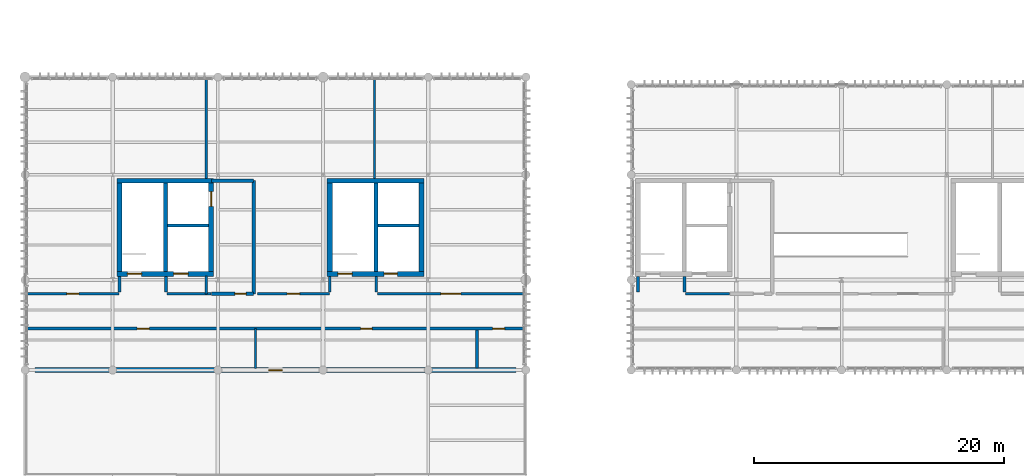
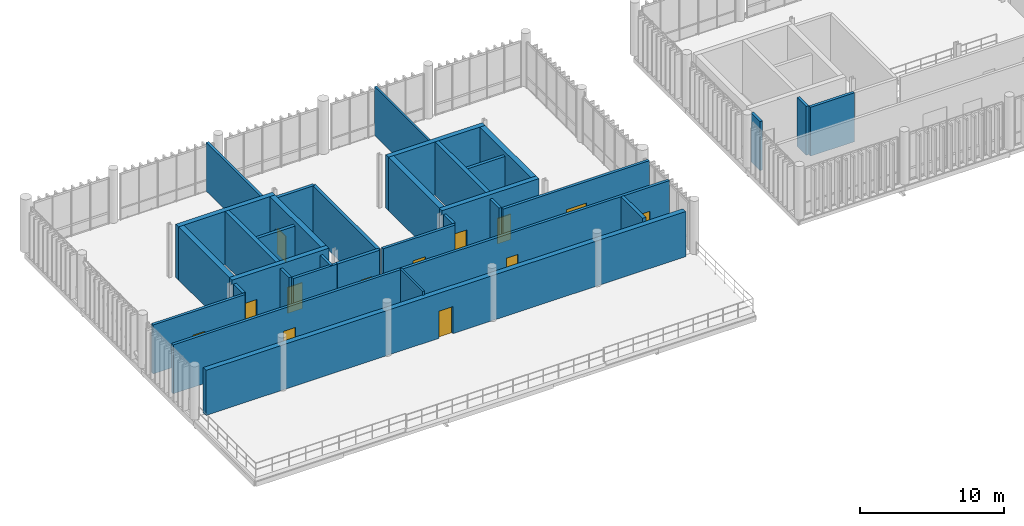
# One storey, part 56 of 66: 33 walls, 13 doors, 13 openings.
"""IFC4 building model written with IfcOpenShell, lengths in metres."""

from ifc_helpers import new_model, si_unit, direction, frame, frame_2d, origin_with_axes, place, context, subcontext, project, spatial, rectangle, extrude, material, layer, layer_set, type_object, element, fill, save


model = new_model("IFC4")

# Units and contexts
model_context = context("Model", 3, precision=1e-05, world=origin_with_axes(), true_north=direction((0.0, 1.0)))
body_context = subcontext(model_context, "Body", "Model", "MODEL_VIEW")
ifc_project = project(units=[si_unit("LENGTHUNIT", "METRE"), si_unit("AREAUNIT", "SQUARE_METRE"), si_unit("VOLUMEUNIT", "CUBIC_METRE"), si_unit("PLANEANGLEUNIT", "RADIAN"), si_unit("MASSUNIT", "GRAM", prefix="KILO"), si_unit("THERMODYNAMICTEMPERATUREUNIT", "KELVIN")], contexts=[model_context])

# Site, building, storey
site_placement = place(None, origin_with_axes())
site = spatial("IfcSite", under=ifc_project, at=site_placement, CompositionType="ELEMENT")
building_placement = place(site_placement, origin_with_axes())
building = spatial("IfcBuilding", under=site, at=building_placement, Name="Montbau Bow Law Courts", CompositionType="ELEMENT")
storey_placement = place(building_placement, frame((0.0, 0.0, 34.5), z_axis=(0.0, 0.0, 1.0), x_axis=(1.0, 0.0, 0.0)))
storey = spatial("IfcBuildingStorey", under=building, at=storey_placement, Name="L07", CompositionType="ELEMENT", Elevation=34.5)

# Wall, opening, door
ifc_material_1 = material(Name="Concrete CSA A23.1 f'c 45 MPa", Category="concrete")
ifc_layer_1 = layer(ifc_material_1, 0.42, Name="Shear Wall", Category="concrete")
ifc_layer_set_1 = layer_set([ifc_layer_1], Name="Concrete CSA A23.1 f'c 45 MPa")
wall_type_1 = type_object("IfcWallType", Name="W-COR-03", PredefinedType="SHEAR", material=ifc_layer_set_1)
wall_1_placement = place(None, frame((21.66, 46.87, 34.5), z_axis=(0.0, 0.0, 1.0), x_axis=(0.0, 1.0, 0.0)))
wall_1 = element("IfcWall", 1, at=wall_1_placement, inside=storey, type_object=wall_type_1, Name="WC-L07-0075:wal_0142", PredefinedType="SHEAR", context=body_context, shape_type="SweptSolid", body=[
    extrude(rectangle(XDim=7.060000000000002, YDim=0.42, at=frame_2d((3.53, 0.0), x_axis=(1.0, 0.0))), origin_with_axes(), (0.0, 0.0, 1.0), 4.5),
])
opening_1_placement = place(None, frame((21.66, 52.66, 34.5), z_axis=(0.0, 0.0, 1.0), x_axis=(0.0, 1.0, 0.0)))
opening_1 = element("IfcOpeningElement", 2, at=opening_1_placement, cuts=wall_1, Name="OP-LD-L07-EL-P2", PredefinedType="OPENING", context=body_context, shape_type="SweptSolid", body=[
    extrude(rectangle(XDim=1.16, YDim=2.2, at=frame_2d((0.0, 1.1), x_axis=(1.0, 0.0))), frame((0.0, 0.22, 0.0), z_axis=(0.0, -1.0, 0.0), x_axis=(1.0, 0.0, 0.0)), (0.0, 0.0, 1.0), 0.44),
])
ifc_material_2 = material(Name="Brushed Stainless Steel Elevator Landing Door", Category="steel")
door_type_1 = type_object("IfcDoorType", Name="LD-PUB-01", OperationType="NOTDEFINED", ParameterTakesPrecedence=False, PredefinedType="DOOR", material=ifc_material_2)
door_1_placement = place(None, frame((21.66, 52.66, 34.5), z_axis=(0.0, 0.0, 1.0), x_axis=(0.0, 1.0, 0.0)))
door_1 = element("IfcDoor", 3, at=door_1_placement, inside=storey, type_object=door_type_1, Name="LD-L07-EL-P2:dor_0071", OperationType="SLIDING_TO_LEFT", OverallHeight=2.2, OverallWidth=1.16, PredefinedType="DOOR", context=body_context, shape_type="SweptSolid", body=[
    extrude(rectangle(XDim=1.16, YDim=2.2, at=frame_2d((0.0, 1.1), x_axis=(1.0, 0.0))), frame((0.0, 0.04, 0.0), z_axis=(0.0, -1.0, 0.0), x_axis=(1.0, 0.0, 0.0)), (0.0, 0.0, 1.0), 0.08),
])
fill(opening_1, door_1)

# Walls
for number, where, z_axis, x_axis, name in (
    (4, (14.34, 53.93, 34.5), (0.0, 0.0, 1.0), (0.0, -1.0, 0.0), "WC-L07-0076:wal_0143"),
    (5, (38.46, 46.87, 34.5), (0.0, 0.0, 1.0), (0.0, 1.0, 0.0), "WC-L07-0132:wal_0199"),
    (6, (31.14, 53.93, 34.5), (0.0, 0.0, 1.0), (0.0, -1.0, 0.0), "WC-L07-0133:wal_0200"),
):
    element("IfcWall", number, at=place(None, frame(where, z_axis=z_axis, x_axis=x_axis)), inside=storey, type_object=wall_type_1, Name=name, PredefinedType="SHEAR", context=body_context, shape_type="SweptSolid", body=[
        extrude(rectangle(XDim=7.060000000000002, YDim=0.42, at=frame_2d((3.53, 0.0), x_axis=(1.0, 0.0))), origin_with_axes(), (0.0, 0.0, 1.0), 4.5),
    ])

# Wall, openings, doors
ifc_layer_2 = layer(ifc_material_1, 0.38, Name="Shear Wall", Category="concrete")
ifc_layer_set_2 = layer_set([ifc_layer_2], Name="Concrete CSA A23.1 f'c 45 MPa")
wall_type_2 = type_object("IfcWallType", Name="W-COR-04", PredefinedType="SHEAR", material=ifc_layer_set_2)
wall_2_placement = place(None, frame((14.13, 46.68, 34.5), z_axis=(0.0, 0.0, 1.0), x_axis=(1.0, 0.0, 0.0)))
wall_2 = element("IfcWall", 7, at=wall_2_placement, inside=storey, type_object=wall_type_2, Name="WC-L07-0073:wal_0140", PredefinedType="SHEAR", context=body_context, shape_type="SweptSolid", body=[
    extrude(rectangle(XDim=7.74, YDim=0.38, at=frame_2d((3.87, 0.0), x_axis=(1.0, 0.0))), origin_with_axes(), (0.0, 0.0, 1.0), 4.5),
])
opening_2_placement = place(None, frame((15.55, 46.68, 34.5), z_axis=(0.0, 0.0, 1.0), x_axis=(1.0, 0.0, 0.0)))
opening_2 = element("IfcOpeningElement", 8, at=opening_2_placement, cuts=wall_2, Name="OP-D-L07-ST-P1", PredefinedType="OPENING", context=body_context, shape_type="SweptSolid", body=[
    extrude(rectangle(XDim=1.14, YDim=2.18, at=frame_2d((0.0, 1.09), x_axis=(1.0, 0.0))), frame((0.0, 0.2, 0.0), z_axis=(0.0, -1.0, 0.0), x_axis=(1.0, 0.0, 0.0)), (0.0, 0.0, 1.0), 0.4),
])
opening_3_placement = place(None, frame((19.25, 46.68, 34.5), z_axis=(0.0, 0.0, 1.0), x_axis=(1.0, 0.0, 0.0)))
opening_3 = element("IfcOpeningElement", 9, at=opening_3_placement, cuts=wall_2, Name="OP-LD-L07-EL-P1", PredefinedType="OPENING", context=body_context, shape_type="SweptSolid", body=[
    extrude(rectangle(XDim=1.16, YDim=2.2, at=frame_2d((0.0, 1.1), x_axis=(1.0, 0.0))), frame((0.0, 0.2, 0.0), z_axis=(0.0, -1.0, 0.0), x_axis=(1.0, 0.0, 0.0)), (0.0, 0.0, 1.0), 0.4),
])
ifc_material_3 = material(Name="1.5 h Fire-Rated Hollow-Metal Exit Stair Door", Category="steel")
door_type_2 = type_object("IfcDoorType", Name="D-ST-01", OperationType="NOTDEFINED", ParameterTakesPrecedence=False, PredefinedType="DOOR", material=ifc_material_3)
door_2_placement = place(None, frame((15.55, 46.68, 34.5), z_axis=(0.0, 0.0, 1.0), x_axis=(-1.0, 0.0, 0.0)))
door_2 = element("IfcDoor", 10, at=door_2_placement, inside=storey, type_object=door_type_2, Name="D-L07-ST-P1:dor_0069", OperationType="SINGLE_SWING_RIGHT", OverallHeight=2.18, OverallWidth=1.14, PredefinedType="DOOR", context=body_context, shape_type="SweptSolid", body=[
    extrude(rectangle(XDim=1.14, YDim=2.18, at=frame_2d((0.0, 1.09), x_axis=(1.0, 0.0))), frame((0.0, 0.04, 0.0), z_axis=(0.0, -1.0, 0.0), x_axis=(1.0, 0.0, 0.0)), (0.0, 0.0, 1.0), 0.08),
])
fill(opening_2, door_2)
door_3_placement = place(None, frame((19.25, 46.68, 34.5), z_axis=(0.0, 0.0, 1.0), x_axis=(-1.0, 0.0, 0.0)))
door_3 = element("IfcDoor", 11, at=door_3_placement, inside=storey, type_object=door_type_1, Name="LD-L07-EL-P1:dor_0070", OperationType="SLIDING_TO_LEFT", OverallHeight=2.2, OverallWidth=1.16, PredefinedType="DOOR", context=body_context, shape_type="SweptSolid", body=[
    extrude(rectangle(XDim=1.16, YDim=2.2, at=frame_2d((0.0, 1.1), x_axis=(1.0, 0.0))), frame((0.0, 0.04, 0.0), z_axis=(0.0, -1.0, 0.0), x_axis=(1.0, 0.0, 0.0)), (0.0, 0.0, 1.0), 0.08),
])
fill(opening_3, door_3)

# Wall
wall_3_placement = place(None, frame((21.87, 54.12, 34.5), z_axis=(0.0, 0.0, 1.0), x_axis=(-1.0, 0.0, 0.0)))
element("IfcWall", 12, at=wall_3_placement, inside=storey, type_object=wall_type_2, Name="WC-L07-0074:wal_0141", PredefinedType="SHEAR", context=body_context, shape_type="SweptSolid", body=[
    extrude(rectangle(XDim=7.74, YDim=0.38, at=frame_2d((3.87, 0.0), x_axis=(1.0, 0.0))), origin_with_axes(), (0.0, 0.0, 1.0), 4.5),
])

# Wall, openings, doors
wall_4_placement = place(None, frame((30.93, 46.68, 34.5), z_axis=(0.0, 0.0, 1.0), x_axis=(1.0, 0.0, 0.0)))
wall_4 = element("IfcWall", 13, at=wall_4_placement, inside=storey, type_object=wall_type_2, Name="WC-L07-0130:wal_0197", PredefinedType="SHEAR", context=body_context, shape_type="SweptSolid", body=[
    extrude(rectangle(XDim=7.740000000000002, YDim=0.38, at=frame_2d((3.87, 0.0), x_axis=(1.0, 0.0))), origin_with_axes(), (0.0, 0.0, 1.0), 4.5),
])
opening_4_placement = place(None, frame((32.35, 46.68, 34.5), z_axis=(0.0, 0.0, 1.0), x_axis=(1.0, 0.0, 0.0)))
opening_4 = element("IfcOpeningElement", 14, at=opening_4_placement, cuts=wall_4, Name="OP-D-L07-ST-J1", PredefinedType="OPENING", context=body_context, shape_type="SweptSolid", body=[
    extrude(rectangle(XDim=1.14, YDim=2.18, at=frame_2d((0.0, 1.09), x_axis=(1.0, 0.0))), frame((0.0, 0.2, 0.0), z_axis=(0.0, -1.0, 0.0), x_axis=(1.0, 0.0, 0.0)), (0.0, 0.0, 1.0), 0.4),
])
opening_5_placement = place(None, frame((36.0, 46.68, 34.5), z_axis=(0.0, 0.0, 1.0), x_axis=(1.0, 0.0, 0.0)))
opening_5 = element("IfcOpeningElement", 15, at=opening_5_placement, cuts=wall_4, Name="OP-LD-L07-EL-J1", PredefinedType="OPENING", context=body_context, shape_type="SweptSolid", body=[
    extrude(rectangle(XDim=1.06, YDim=2.16, at=frame_2d((0.0, 1.08), x_axis=(1.0, 0.0))), frame((0.0, 0.2, 0.0), z_axis=(0.0, -1.0, 0.0), x_axis=(1.0, 0.0, 0.0)), (0.0, 0.0, 1.0), 0.4),
])
door_4_placement = place(None, frame((32.35, 46.68, 34.5), z_axis=(0.0, 0.0, 1.0), x_axis=(-1.0, 0.0, 0.0)))
door_4 = element("IfcDoor", 16, at=door_4_placement, inside=storey, type_object=door_type_2, Name="D-L07-ST-J1:dor_0089", OperationType="SINGLE_SWING_LEFT", OverallHeight=2.18, OverallWidth=1.14, PredefinedType="DOOR", context=body_context, shape_type="SweptSolid", body=[
    extrude(rectangle(XDim=1.14, YDim=2.18, at=frame_2d((0.0, 1.09), x_axis=(1.0, 0.0))), frame((0.0, 0.04, 0.0), z_axis=(0.0, -1.0, 0.0), x_axis=(1.0, 0.0, 0.0)), (0.0, 0.0, 1.0), 0.08),
])
fill(opening_4, door_4)
ifc_material_4 = material(Name="Bronze-Clad Judicial Elevator Landing Door", Category="steel")
door_type_3 = type_object("IfcDoorType", Name="LD-JUD-01", OperationType="NOTDEFINED", ParameterTakesPrecedence=False, PredefinedType="DOOR", material=ifc_material_4)
door_5_placement = place(None, frame((36.0, 46.68, 34.5), z_axis=(0.0, 0.0, 1.0), x_axis=(-1.0, 0.0, 0.0)))
door_5 = element("IfcDoor", 17, at=door_5_placement, inside=storey, type_object=door_type_3, Name="LD-L07-EL-J1:dor_0090", OperationType="SLIDING_TO_LEFT", OverallHeight=2.16, OverallWidth=1.06, PredefinedType="DOOR", context=body_context, shape_type="SweptSolid", body=[
    extrude(rectangle(XDim=1.06, YDim=2.16, at=frame_2d((0.0, 1.08), x_axis=(1.0, 0.0))), frame((0.0, 0.04, 0.0), z_axis=(0.0, -1.0, 0.0), x_axis=(1.0, 0.0, 0.0)), (0.0, 0.0, 1.0), 0.08),
])
fill(opening_5, door_5)

# Walls
wall_5_placement = place(None, frame((38.67, 54.12, 34.5), z_axis=(0.0, 0.0, 1.0), x_axis=(-1.0, 0.0, 0.0)))
element("IfcWall", 18, at=wall_5_placement, inside=storey, type_object=wall_type_2, Name="WC-L07-0131:wal_0198", PredefinedType="SHEAR", context=body_context, shape_type="SweptSolid", body=[
    extrude(rectangle(XDim=7.740000000000002, YDim=0.38, at=frame_2d((3.87, 0.0), x_axis=(1.0, 0.0))), origin_with_axes(), (0.0, 0.0, 1.0), 4.5),
])
ifc_layer_3 = layer(ifc_material_1, 0.32, Name="Shear Wall", Category="concrete")
ifc_layer_set_3 = layer_set([ifc_layer_3], Name="Concrete CSA A23.1 f'c 45 MPa")
wall_type_3 = type_object("IfcWallType", Name="W-COR-05", PredefinedType="SHEAR", material=ifc_layer_set_3)
for number, where, z_axis, x_axis, name in (
    (19, (18.02, 46.87, 34.5), (0.0, 0.0, 1.0), (0.0, 1.0, 0.0), "WS-L07-0077:wal_0144"),
    (20, (34.82, 46.87, 34.5), (0.0, 0.0, 1.0), (0.0, 1.0, 0.0), "WS-L07-0134:wal_0201"),
):
    element("IfcWall", number, at=place(None, frame(where, z_axis=z_axis, x_axis=x_axis)), inside=storey, type_object=wall_type_3, Name=name, PredefinedType="SHEAR", context=body_context, shape_type="SweptSolid", body=[
        extrude(rectangle(XDim=7.060000000000002, YDim=0.32, at=frame_2d((3.53, 0.0), x_axis=(1.0, 0.0))), origin_with_axes(), (0.0, 0.0, 1.0), 4.5),
    ])

# Wall, opening, door
ifc_material_5 = material(Name="Polychrome Glazed Ceramic Rainscreen Insulated Wall", Category="masonry")
ifc_layer_4 = layer(ifc_material_5, 0.4, Name="Solid Wall", Category="masonry")
ifc_layer_set_4 = layer_set([ifc_layer_4], Name="Polychrome Glazed Ceramic Rainscreen Insulated Wall")
wall_type_4 = type_object("IfcWallType", Name="W-EXT-04", PredefinedType="SOLIDWALL", material=ifc_layer_set_4)
wall_6_placement = place(None, frame((7.6, 39.0, 34.5), z_axis=(0.0, 0.0, 1.0), x_axis=(1.0, 0.0, 0.0)))
wall_6 = element("IfcWall", 21, at=wall_6_placement, inside=storey, type_object=wall_type_4, Name="WE-L07-037:wal_0054", PredefinedType="SOLIDWALL", context=body_context, shape_type="SweptSolid", body=[
    extrude(rectangle(XDim=38.4, YDim=0.4, at=frame_2d((19.2, 0.0), x_axis=(1.0, 0.0))), origin_with_axes(), (0.0, 0.0, 1.0), 3.814),
])
opening_6_placement = place(None, frame((26.8, 39.0, 34.5), z_axis=(0.0, 0.0, 1.0), x_axis=(1.0, 0.0, 0.0)))
opening_6 = element("IfcOpeningElement", 22, at=opening_6_placement, cuts=wall_6, Name="OP-D-TER-06", PredefinedType="OPENING", context=body_context, shape_type="SweptSolid", body=[
    extrude(rectangle(XDim=1.1, YDim=2.3, at=frame_2d((0.0, 1.15), x_axis=(1.0, 0.0))), frame((0.0, 0.21, 0.0), z_axis=(0.0, -1.0, 0.0), x_axis=(1.0, 0.0, 0.0)), (0.0, 0.0, 1.0), 0.42),
])
ifc_material_6 = material(Name="Thermally Broken Glazed Terrace Access Door", Category="aluminium")
door_type_4 = type_object("IfcDoorType", Name="D-EXT-06", OperationType="NOTDEFINED", ParameterTakesPrecedence=False, PredefinedType="DOOR", material=ifc_material_6)
door_6_placement = place(None, frame((26.8, 39.0, 34.5), z_axis=(0.0, 0.0, 1.0), x_axis=(1.0, 0.0, 0.0)))
door_6 = element("IfcDoor", 23, at=door_6_placement, inside=storey, type_object=door_type_4, Name="D-TER-06:dor_0029", OperationType="SINGLE_SWING_LEFT", OverallHeight=2.3, OverallWidth=1.1, PredefinedType="DOOR", context=body_context, shape_type="SweptSolid", body=[
    extrude(rectangle(XDim=1.1, YDim=2.3, at=frame_2d((0.0, 1.15), x_axis=(1.0, 0.0))), frame((0.0, 0.04, 0.0), z_axis=(0.0, -1.0, 0.0), x_axis=(1.0, 0.0, 0.0)), (0.0, 0.0, 1.0), 0.08),
])
fill(opening_6, door_6)

# Walls
ifc_material_7 = material(Name="Double-Stud Acoustic Plumbing Chase Gypsum Assembly", Category="gypsum")
ifc_layer_5 = layer(ifc_material_7, 0.26, Name="Plumbing Wall", Category="gypsum")
ifc_layer_set_5 = layer_set([ifc_layer_5], Name="Double-Stud Acoustic Plumbing Chase Gypsum Assembly")
wall_type_5 = type_object("IfcWallType", Name="W-PLM-01", PredefinedType="PLUMBINGWALL", material=ifc_layer_set_5)
wall_7_placement = place(None, frame((42.89, 39.18, 34.5), z_axis=(0.0, 0.0, 1.0), x_axis=(0.0, 1.0, 0.0)))
element("IfcWall", 24, at=wall_7_placement, inside=storey, type_object=wall_type_5, Name="WD-L07-0915:wal_0982", PredefinedType="PLUMBINGWALL", context=body_context, shape_type="SweptSolid", body=[
    extrude(rectangle(XDim=3.030000000000001, YDim=0.26, at=frame_2d((1.515, 0.0), x_axis=(1.0, 0.0))), origin_with_axes(), (0.0, 0.0, 1.0), 4.14),
])
ifc_material_8 = material(Name="2 h Shaft and Exit-Passage Fire Separation Partition", Category="gypsum")
ifc_layer_6 = layer(ifc_material_8, 0.25, Name="Partition", Category="gypsum")
ifc_layer_set_6 = layer_set([ifc_layer_6], Name="2 h Shaft and Exit-Passage Fire Separation Partition")
wall_type_6 = type_object("IfcWallType", Name="W-PRT-01", PredefinedType="PARTITIONING", material=ifc_layer_set_6)
wall_8_placement = place(None, frame((18.18, 50.549, 34.5), z_axis=(0.0, 0.0, 1.0), x_axis=(1.0, 0.0, 0.0)))
element("IfcWall", 25, at=wall_8_placement, inside=storey, type_object=wall_type_6, Name="WS-L07-0078:wal_0145", PredefinedType="PARTITIONING", context=body_context, shape_type="SweptSolid", body=[
    extrude(rectangle(XDim=3.2699999999999996, YDim=0.25, at=frame_2d((1.635, 0.0), x_axis=(1.0, 0.0))), origin_with_axes(), (0.0, 0.0, 1.0), 4.14),
])
wall_9_placement = place(None, frame((25.06, 45.09, 34.5), z_axis=(0.0, 0.0, 1.0), x_axis=(0.0, 1.0, 0.0)))
element("IfcWall", 26, at=wall_9_placement, inside=storey, type_object=wall_type_6, Name="WEL-L07-0079:wal_0146", PredefinedType="PARTITIONING", context=body_context, shape_type="SweptSolid", body=[
    extrude(rectangle(XDim=9.029999999999994, YDim=0.25, at=frame_2d((4.515, 0.0), x_axis=(1.0, 0.0))), origin_with_axes(), (0.0, 0.0, 1.0), 4.14),
])
wall_10_placement = place(None, frame((21.7, 54.12, 34.5), z_axis=(0.0, 0.0, 1.0), x_axis=(1.0, 0.0, 0.0)))
element("IfcWall", 27, at=wall_10_placement, inside=storey, type_object=wall_type_6, Name="WEL-L07-0080:wal_0147", PredefinedType="PARTITIONING", context=body_context, shape_type="SweptSolid", body=[
    extrude(rectangle(XDim=3.3599999999999994, YDim=0.25, at=frame_2d((1.68, 0.0), x_axis=(1.0, 0.0))), origin_with_axes(), (0.0, 0.0, 1.0), 4.14),
])

# Wall, opening, door
wall_11_placement = place(None, frame((21.7, 45.09, 34.5), z_axis=(0.0, 0.0, 1.0), x_axis=(1.0, 0.0, 0.0)))
wall_11 = element("IfcWall", 28, at=wall_11_placement, inside=storey, type_object=wall_type_6, Name="WEL-L07-0081:wal_0148", PredefinedType="PARTITIONING", context=body_context, shape_type="SweptSolid", body=[
    extrude(rectangle(XDim=3.3599999999999994, YDim=0.25, at=frame_2d((1.68, 0.0), x_axis=(1.0, 0.0))), origin_with_axes(), (0.0, 0.0, 1.0), 4.14),
])
opening_7_placement = place(None, frame((24.005, 45.09, 34.5), z_axis=(0.0, 0.0, 1.0), x_axis=(1.0, 0.0, 0.0)))
opening_7 = element("IfcOpeningElement", 29, at=opening_7_placement, cuts=wall_11, Name="OP-D-L07-ELB-CORE-W1", PredefinedType="OPENING", context=body_context, shape_type="SweptSolid", body=[
    extrude(rectangle(XDim=0.91, YDim=2.12, at=frame_2d((0.0, 1.06), x_axis=(1.0, 0.0))), frame((0.0, 0.135, 0.0), z_axis=(0.0, -1.0, 0.0), x_axis=(1.0, 0.0, 0.0)), (0.0, 0.0, 1.0), 0.27),
])
ifc_material_9 = material(Name="Public and Judicial Washroom Solid-Core Door", Category="wood")
door_type_5 = type_object("IfcDoorType", Name="D-WC-02", OperationType="NOTDEFINED", ParameterTakesPrecedence=False, PredefinedType="DOOR", material=ifc_material_9)
door_7_placement = place(None, frame((24.005, 45.09, 34.5), z_axis=(0.0, 0.0, 1.0), x_axis=(1.0, 0.0, 0.0)))
door_7 = element("IfcDoor", 30, at=door_7_placement, inside=storey, type_object=door_type_5, Name="D-L07-ELB-CORE-W1:dor_0072", OperationType="SINGLE_SWING_LEFT", OverallHeight=2.12, OverallWidth=0.91, PredefinedType="DOOR", context=body_context, shape_type="SweptSolid", body=[
    extrude(rectangle(XDim=0.91, YDim=2.12, at=frame_2d((0.0, 1.06), x_axis=(1.0, 0.0))), frame((0.0, 0.04, 0.0), z_axis=(0.0, -1.0, 0.0), x_axis=(1.0, 0.0, 0.0)), (0.0, 0.0, 1.0), 0.08),
])
fill(opening_7, door_7)

# Walls
wall_12_placement = place(None, frame((34.98, 50.549, 34.5), z_axis=(0.0, 0.0, 1.0), x_axis=(1.0, 0.0, 0.0)))
element("IfcWall", 31, at=wall_12_placement, inside=storey, type_object=wall_type_6, Name="WS-L07-0135:wal_0202", PredefinedType="PARTITIONING", context=body_context, shape_type="SweptSolid", body=[
    extrude(rectangle(XDim=3.270000000000003, YDim=0.25, at=frame_2d((1.635, 0.0), x_axis=(1.0, 0.0))), origin_with_axes(), (0.0, 0.0, 1.0), 4.14),
])
ifc_material_10 = material(Name="STC-60 High-Acoustic Courtroom Perimeter Partition", Category="gypsum")
ifc_layer_7 = layer(ifc_material_10, 0.22, Name="Partition", Category="gypsum")
ifc_layer_set_7 = layer_set([ifc_layer_7], Name="STC-60 High-Acoustic Courtroom Perimeter Partition")
wall_type_7 = type_object("IfcWallType", Name="W-PRT-02", PredefinedType="PARTITIONING", material=ifc_layer_set_7)
for number, where, z_axis, x_axis, name in (
    (32, (14.34, 45.22, 34.5), (0.0, 0.0, 1.0), (0.0, 1.0, 0.0), "WCX-L07-0906:wal_0973"),
    (33, (18.05, 45.22, 34.5), (0.0, 0.0, 1.0), (0.0, 1.0, 0.0), "WCX-L07-0907:wal_0974"),
    (34, (31.14, 45.22, 34.5), (0.0, 0.0, 1.0), (0.0, 1.0, 0.0), "WCX-L07-0908:wal_0975"),
    (35, (34.85, 45.22, 34.5), (0.0, 0.0, 1.0), (0.0, 1.0, 0.0), "WCX-L07-0909:wal_0976"),
):
    element("IfcWall", number, at=place(None, frame(where, z_axis=z_axis, x_axis=x_axis)), inside=storey, type_object=wall_type_7, Name=name, PredefinedType="PARTITIONING", context=body_context, shape_type="SweptSolid", body=[
        extrude(rectangle(XDim=1.259999999999998, YDim=0.22, at=frame_2d((0.63, 0.0), x_axis=(1.0, 0.0))), origin_with_axes(), (0.0, 0.0, 1.0), 4.14),
    ])

# Wall, opening, door
wall_13_placement = place(None, frame((6.94, 45.09, 34.5), z_axis=(0.0, 0.0, 1.0), x_axis=(1.0, 0.0, 0.0)))
wall_13 = element("IfcWall", 36, at=wall_13_placement, inside=storey, type_object=wall_type_7, Name="WP-L07-0910:wal_0977", PredefinedType="PARTITIONING", context=body_context, shape_type="SweptSolid", body=[
    extrude(rectangle(XDim=7.36, YDim=0.22, at=frame_2d((3.68, 0.0), x_axis=(1.0, 0.0))), origin_with_axes(), (0.0, 0.0, 1.0), 4.14),
])
opening_8_placement = place(None, frame((10.62, 45.09, 34.5), z_axis=(0.0, 0.0, 1.0), x_axis=(1.0, 0.0, 0.0)))
opening_8 = element("IfcOpeningElement", 37, at=opening_8_placement, cuts=wall_13, Name="OP-D-L07-388", PredefinedType="OPENING", context=body_context, shape_type="SweptSolid", body=[
    extrude(rectangle(XDim=0.95, YDim=2.16, at=frame_2d((0.0, 1.08), x_axis=(1.0, 0.0))), frame((0.0, 0.12, 0.0), z_axis=(0.0, -1.0, 0.0), x_axis=(1.0, 0.0, 0.0)), (0.0, 0.0, 1.0), 0.24),
])
ifc_material_11 = material(Name="Mediation and Witness Waiting Acoustic Oak Door", Category="wood")
door_type_6 = type_object("IfcDoorType", Name="D-MED-01", OperationType="NOTDEFINED", ParameterTakesPrecedence=False, PredefinedType="DOOR", material=ifc_material_11)
door_8_placement = place(None, frame((10.62, 45.09, 34.5), z_axis=(0.0, 0.0, 1.0), x_axis=(-1.0, 0.0, 0.0)))
door_8 = element("IfcDoor", 38, at=door_8_placement, inside=storey, type_object=door_type_6, Name="D-L07-388:dor_0423", OperationType="SINGLE_SWING_LEFT", OverallHeight=2.16, OverallWidth=0.95, PredefinedType="DOOR", context=body_context, shape_type="SweptSolid", body=[
    extrude(rectangle(XDim=0.95, YDim=2.16, at=frame_2d((0.0, 1.08), x_axis=(1.0, 0.0))), frame((0.0, 0.04, 0.0), z_axis=(0.0, -1.0, 0.0), x_axis=(1.0, 0.0, 0.0)), (0.0, 0.0, 1.0), 0.08),
])
fill(opening_8, door_8)

# Wall
wall_14_placement = place(None, frame((18.15, 45.09, 34.5), z_axis=(0.0, 0.0, 1.0), x_axis=(1.0, 0.0, 0.0)))
element("IfcWall", 39, at=wall_14_placement, inside=storey, type_object=wall_type_7, Name="WP-L07-0911:wal_0978", PredefinedType="PARTITIONING", context=body_context, shape_type="SweptSolid", body=[
    extrude(rectangle(XDim=3.5100000000000016, YDim=0.22, at=frame_2d((1.755, 0.0), x_axis=(1.0, 0.0))), origin_with_axes(), (0.0, 0.0, 1.0), 4.14),
])

# Wall, opening, door
wall_15_placement = place(None, frame((25.355, 45.09, 34.5), z_axis=(0.0, 0.0, 1.0), x_axis=(1.0, 0.0, 0.0)))
wall_15 = element("IfcWall", 40, at=wall_15_placement, inside=storey, type_object=wall_type_7, Name="WP-L07-0912:wal_0979", PredefinedType="PARTITIONING", context=body_context, shape_type="SweptSolid", body=[
    extrude(rectangle(XDim=5.745000000000001, YDim=0.22, at=frame_2d((2.8725, 0.0), x_axis=(1.0, 0.0))), origin_with_axes(), (0.0, 0.0, 1.0), 4.14),
])
opening_9_placement = place(None, frame((28.227, 45.09, 34.5), z_axis=(0.0, 0.0, 1.0), x_axis=(1.0, 0.0, 0.0)))
opening_9 = element("IfcOpeningElement", 41, at=opening_9_placement, cuts=wall_15, Name="OP-D-L07-389", PredefinedType="OPENING", context=body_context, shape_type="SweptSolid", body=[
    extrude(rectangle(XDim=1.0, YDim=2.28, at=frame_2d((0.0, 1.14), x_axis=(1.0, 0.0))), frame((0.0, 0.12, 0.0), z_axis=(0.0, -1.0, 0.0), x_axis=(1.0, 0.0, 0.0)), (0.0, 0.0, 1.0), 0.24),
])
ifc_material_12 = material(Name="Prisoner Dock Security Steel Acoustic Door", Category="steel")
door_type_7 = type_object("IfcDoorType", Name="D-CRT-06", OperationType="NOTDEFINED", ParameterTakesPrecedence=False, PredefinedType="DOOR", material=ifc_material_12)
door_9_placement = place(None, frame((28.227, 45.09, 34.5), z_axis=(0.0, 0.0, 1.0), x_axis=(-1.0, 0.0, 0.0)))
door_9 = element("IfcDoor", 42, at=door_9_placement, inside=storey, type_object=door_type_7, Name="D-L07-389:dor_0424", OperationType="SINGLE_SWING_RIGHT", OverallHeight=2.28, OverallWidth=1.0, PredefinedType="DOOR", context=body_context, shape_type="SweptSolid", body=[
    extrude(rectangle(XDim=1.0, YDim=2.28, at=frame_2d((0.0, 1.14), x_axis=(1.0, 0.0))), frame((0.0, 0.04, 0.0), z_axis=(0.0, -1.0, 0.0), x_axis=(1.0, 0.0, 0.0)), (0.0, 0.0, 1.0), 0.08),
])
fill(opening_9, door_9)

wall_16_placement = place(None, frame((34.95, 45.09, 34.5), z_axis=(0.0, 0.0, 1.0), x_axis=(1.0, 0.0, 0.0)))
wall_16 = element("IfcWall", 43, at=wall_16_placement, inside=storey, type_object=wall_type_7, Name="WP-L07-0913:wal_0980", PredefinedType="PARTITIONING", context=body_context, shape_type="SweptSolid", body=[
    extrude(rectangle(XDim=11.709999999999994, YDim=0.22, at=frame_2d((5.855, 0.0), x_axis=(1.0, 0.0))), origin_with_axes(), (0.0, 0.0, 1.0), 4.14),
])
opening_10_placement = place(None, frame((40.805, 45.09, 34.5), z_axis=(0.0, 0.0, 1.0), x_axis=(1.0, 0.0, 0.0)))
opening_10 = element("IfcOpeningElement", 44, at=opening_10_placement, cuts=wall_16, Name="OP-D-L07-390", PredefinedType="OPENING", context=body_context, shape_type="SweptSolid", body=[
    extrude(rectangle(XDim=1.6, YDim=2.32, at=frame_2d((0.0, 1.16), x_axis=(1.0, 0.0))), frame((0.0, 0.12, 0.0), z_axis=(0.0, -1.0, 0.0), x_axis=(1.0, 0.0, 0.0)), (0.0, 0.0, 1.0), 0.24),
])
ifc_material_13 = material(Name="Jury Assembly Lounge Glazed Oak Double Door", Category="wood")
door_type_8 = type_object("IfcDoorType", Name="D-JUR-02", OperationType="NOTDEFINED", ParameterTakesPrecedence=False, PredefinedType="DOOR", material=ifc_material_13)
door_10_placement = place(None, frame((40.805, 45.09, 34.5), z_axis=(0.0, 0.0, 1.0), x_axis=(-1.0, 0.0, 0.0)))
door_10 = element("IfcDoor", 45, at=door_10_placement, inside=storey, type_object=door_type_8, Name="D-L07-390:dor_0425", OperationType="DOUBLE_DOOR_SINGLE_SWING", OverallHeight=2.32, OverallWidth=1.6, PredefinedType="DOOR", context=body_context, shape_type="SweptSolid", body=[
    extrude(rectangle(XDim=1.6, YDim=2.32, at=frame_2d((0.0, 1.16), x_axis=(1.0, 0.0))), frame((0.0, 0.04, 0.0), z_axis=(0.0, -1.0, 0.0), x_axis=(1.0, 0.0, 0.0)), (0.0, 0.0, 1.0), 0.08),
])
fill(opening_10, door_10)

# Wall, openings, doors
wall_17_placement = place(None, frame((6.94, 42.31, 34.5), z_axis=(0.0, 0.0, 1.0), x_axis=(1.0, 0.0, 0.0)))
wall_17 = element("IfcWall", 46, at=wall_17_placement, inside=storey, type_object=wall_type_7, Name="WP-L07-0914:wal_0981", PredefinedType="PARTITIONING", context=body_context, shape_type="SweptSolid", body=[
    extrude(rectangle(XDim=39.72, YDim=0.22, at=frame_2d((19.86, 0.0), x_axis=(1.0, 0.0))), origin_with_axes(), (0.0, 0.0, 1.0), 4.14),
])
opening_11_placement = place(None, frame((16.241, 42.31, 34.5), z_axis=(0.0, 0.0, 1.0), x_axis=(1.0, 0.0, 0.0)))
opening_11 = element("IfcOpeningElement", 47, at=opening_11_placement, cuts=wall_17, Name="OP-D-L07-391", PredefinedType="OPENING", context=body_context, shape_type="SweptSolid", body=[
    extrude(rectangle(XDim=0.96, YDim=2.2, at=frame_2d((0.0, 1.1), x_axis=(1.0, 0.0))), frame((0.0, 0.12, 0.0), z_axis=(0.0, -1.0, 0.0), x_axis=(1.0, 0.0, 0.0)), (0.0, 0.0, 1.0), 0.24),
])
opening_12_placement = place(None, frame((34.054, 42.31, 34.5), z_axis=(0.0, 0.0, 1.0), x_axis=(1.0, 0.0, 0.0)))
opening_12 = element("IfcOpeningElement", 48, at=opening_12_placement, cuts=wall_17, Name="OP-D-L07-392", PredefinedType="OPENING", context=body_context, shape_type="SweptSolid", body=[
    extrude(rectangle(XDim=0.92, YDim=2.14, at=frame_2d((0.0, 1.07), x_axis=(1.0, 0.0))), frame((0.0, 0.12, 0.0), z_axis=(0.0, -1.0, 0.0), x_axis=(1.0, 0.0, 0.0)), (0.0, 0.0, 1.0), 0.24),
])
opening_13_placement = place(None, frame((44.613, 42.31, 34.5), z_axis=(0.0, 0.0, 1.0), x_axis=(1.0, 0.0, 0.0)))
opening_13 = element("IfcOpeningElement", 49, at=opening_13_placement, cuts=wall_17, Name="OP-D-L07-393", PredefinedType="OPENING", context=body_context, shape_type="SweptSolid", body=[
    extrude(rectangle(XDim=0.95, YDim=2.1, at=frame_2d((0.0, 1.05), x_axis=(1.0, 0.0))), frame((0.0, 0.12, 0.0), z_axis=(0.0, -1.0, 0.0), x_axis=(1.0, 0.0, 0.0)), (0.0, 0.0, 1.0), 0.24),
])
ifc_material_14 = material(Name="Resident Judge Chambers Solid White-Oak Door", Category="wood")
door_type_9 = type_object("IfcDoorType", Name="D-CHM-01", OperationType="NOTDEFINED", ParameterTakesPrecedence=False, PredefinedType="DOOR", material=ifc_material_14)
door_11_placement = place(None, frame((16.241, 42.31, 34.5), z_axis=(0.0, 0.0, 1.0), x_axis=(1.0, 0.0, 0.0)))
door_11 = element("IfcDoor", 50, at=door_11_placement, inside=storey, type_object=door_type_9, Name="D-L07-391:dor_0426", OperationType="SINGLE_SWING_LEFT", OverallHeight=2.2, OverallWidth=0.96, PredefinedType="DOOR", context=body_context, shape_type="SweptSolid", body=[
    extrude(rectangle(XDim=0.96, YDim=2.2, at=frame_2d((0.0, 1.1), x_axis=(1.0, 0.0))), frame((0.0, 0.04, 0.0), z_axis=(0.0, -1.0, 0.0), x_axis=(1.0, 0.0, 0.0)), (0.0, 0.0, 1.0), 0.08),
])
fill(opening_11, door_11)
ifc_material_15 = material(Name="Judicial Law Clerk and Registry Office Oak Door", Category="wood")
door_type_10 = type_object("IfcDoorType", Name="D-OFF-01", OperationType="NOTDEFINED", ParameterTakesPrecedence=False, PredefinedType="DOOR", material=ifc_material_15)
door_12_placement = place(None, frame((34.054, 42.31, 34.5), z_axis=(0.0, 0.0, 1.0), x_axis=(1.0, 0.0, 0.0)))
door_12 = element("IfcDoor", 51, at=door_12_placement, inside=storey, type_object=door_type_10, Name="D-L07-392:dor_0427", OperationType="SINGLE_SWING_RIGHT", OverallHeight=2.14, OverallWidth=0.92, PredefinedType="DOOR", context=body_context, shape_type="SweptSolid", body=[
    extrude(rectangle(XDim=0.92, YDim=2.14, at=frame_2d((0.0, 1.07), x_axis=(1.0, 0.0))), frame((0.0, 0.04, 0.0), z_axis=(0.0, -1.0, 0.0), x_axis=(1.0, 0.0, 0.0)), (0.0, 0.0, 1.0), 0.08),
])
fill(opening_12, door_12)
ifc_material_16 = material(Name="CSA B651 Universal Barrier-Free Washroom Door", Category="wood")
door_type_11 = type_object("IfcDoorType", Name="D-WC-01", OperationType="NOTDEFINED", ParameterTakesPrecedence=False, PredefinedType="DOOR", material=ifc_material_16)
door_13_placement = place(None, frame((44.613, 42.31, 34.5), z_axis=(0.0, 0.0, 1.0), x_axis=(1.0, 0.0, 0.0)))
door_13 = element("IfcDoor", 52, at=door_13_placement, inside=storey, type_object=door_type_11, Name="D-L07-393:dor_0428", OperationType="SINGLE_SWING_LEFT", OverallHeight=2.1, OverallWidth=0.95, PredefinedType="DOOR", context=body_context, shape_type="SweptSolid", body=[
    extrude(rectangle(XDim=0.95, YDim=2.1, at=frame_2d((0.0, 1.05), x_axis=(1.0, 0.0))), frame((0.0, 0.04, 0.0), z_axis=(0.0, -1.0, 0.0), x_axis=(1.0, 0.0, 0.0)), (0.0, 0.0, 1.0), 0.08),
])
fill(opening_13, door_13)

# Walls
wall_18_placement = place(None, frame((21.262, 45.09, 34.5), z_axis=(0.0, 0.0, 1.0), x_axis=(0.0, 1.0, 0.0)))
element("IfcWall", 53, at=wall_18_placement, inside=storey, type_object=wall_type_7, Name="WD-L07-0916:wal_0983", PredefinedType="PARTITIONING", context=body_context, shape_type="SweptSolid", body=[
    extrude(rectangle(XDim=1.4099999999999966, YDim=0.22, at=frame_2d((0.705, 0.0), x_axis=(1.0, 0.0))), origin_with_axes(), (0.0, 0.0, 1.0), 4.14),
])
for number, where, z_axis, x_axis, name in (
    (54, (55.74, 45.22, 34.5), (0.0, 0.0, 1.0), (0.0, 1.0, 0.0), "WCX-L07-0920:wal_0987"),
    (55, (59.45, 45.22, 34.5), (0.0, 0.0, 1.0), (0.0, 1.0, 0.0), "WCX-L07-0921:wal_0988"),
):
    element("IfcWall", number, at=place(None, frame(where, z_axis=z_axis, x_axis=x_axis)), inside=storey, type_object=wall_type_7, Name=name, PredefinedType="PARTITIONING", context=body_context, shape_type="SweptSolid", body=[
        extrude(rectangle(XDim=1.259999999999998, YDim=0.22, at=frame_2d((0.63, 0.0), x_axis=(1.0, 0.0))), origin_with_axes(), (0.0, 0.0, 1.0), 4.14),
    ])
wall_19_placement = place(None, frame((59.55, 45.09, 34.5), z_axis=(0.0, 0.0, 1.0), x_axis=(1.0, 0.0, 0.0)))
element("IfcWall", 56, at=wall_19_placement, inside=storey, type_object=wall_type_7, Name="WP-L07-0924:wal_0991", PredefinedType="PARTITIONING", context=body_context, shape_type="SweptSolid", body=[
    extrude(rectangle(XDim=3.510000000000005, YDim=0.22, at=frame_2d((1.755, 0.0), x_axis=(1.0, 0.0))), origin_with_axes(), (0.0, 0.0, 1.0), 4.14),
])
ifc_material_17 = material(Name="STC-55 Jury Deliberation Security Partition", Category="gypsum")
ifc_layer_8 = layer(ifc_material_17, 0.2, Name="Partition", Category="gypsum")
ifc_layer_set_8 = layer_set([ifc_layer_8], Name="STC-55 Jury Deliberation Security Partition")
wall_type_8 = type_object("IfcWallType", Name="W-PRT-03", PredefinedType="PARTITIONING", material=ifc_layer_set_8)
wall_20_placement = place(None, frame((21.262, 54.3, 34.5), z_axis=(0.0, 0.0, 1.0), x_axis=(0.0, 1.0, 0.0)))
element("IfcWall", 57, at=wall_20_placement, inside=storey, type_object=wall_type_8, Name="WD-L07-0917:wal_0984", PredefinedType="PARTITIONING", context=body_context, shape_type="SweptSolid", body=[
    extrude(rectangle(XDim=7.960000000000001, YDim=0.2, at=frame_2d((3.98, 0.0), x_axis=(1.0, 0.0))), origin_with_axes(), (0.0, 0.0, 1.0), 4.14),
])
ifc_material_18 = material(Name="STC-52 Judicial Chambers Acoustic Partition", Category="gypsum")
ifc_layer_9 = layer(ifc_material_18, 0.16, Name="Partition", Category="gypsum")
ifc_layer_set_9 = layer_set([ifc_layer_9], Name="STC-52 Judicial Chambers Acoustic Partition")
wall_type_9 = type_object("IfcWallType", Name="W-PRT-05", PredefinedType="PARTITIONING", material=ifc_layer_set_9)
wall_21_placement = place(None, frame((34.712, 54.3, 34.5), z_axis=(0.0, 0.0, 1.0), x_axis=(0.0, 1.0, 0.0)))
element("IfcWall", 58, at=wall_21_placement, inside=storey, type_object=wall_type_9, Name="WD-L07-0918:wal_0985", PredefinedType="PARTITIONING", context=body_context, shape_type="SweptSolid", body=[
    extrude(rectangle(XDim=7.960000000000001, YDim=0.16, at=frame_2d((3.98, 0.0), x_axis=(1.0, 0.0))), origin_with_axes(), (0.0, 0.0, 1.0), 4.14),
])
wall_22_placement = place(None, frame((25.218, 39.14, 34.5), z_axis=(0.0, 0.0, 1.0), x_axis=(0.0, 1.0, 0.0)))
element("IfcWall", 59, at=wall_22_placement, inside=storey, type_object=wall_type_9, Name="WD-L07-0919:wal_0986", PredefinedType="PARTITIONING", context=body_context, shape_type="SweptSolid", body=[
    extrude(rectangle(XDim=3.1700000000000017, YDim=0.16, at=frame_2d((1.585, 0.0), x_axis=(1.0, 0.0))), origin_with_axes(), (0.0, 0.0, 1.0), 4.14),
])

save(model, "model.ifc")
